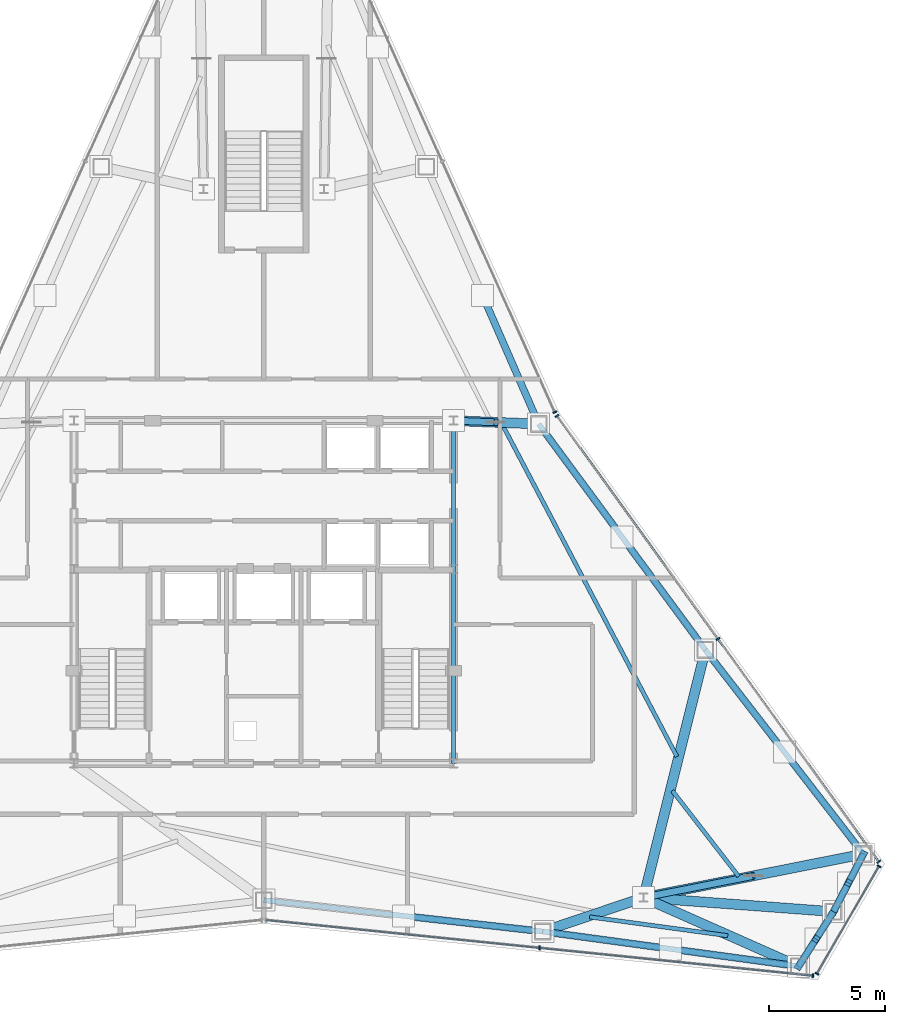
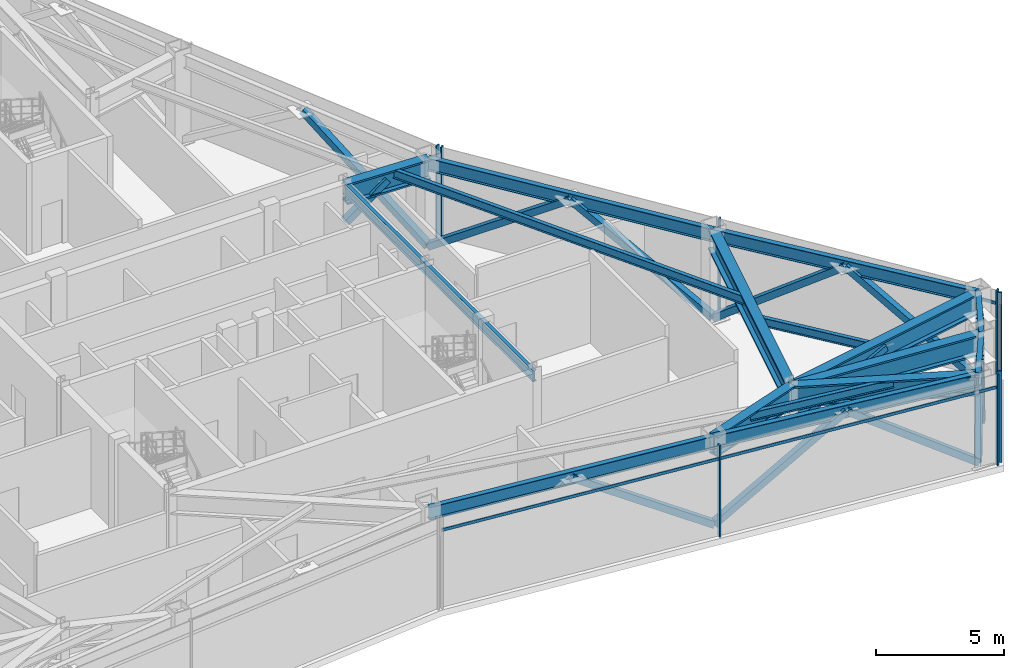
# One storey, part 6 of 12: 25 members, 16 beams, 4 elements without a shape of their own.
"""IFC4 building model written with IfcOpenShell, lengths in metres."""

import ifcopenshell
import ifcopenshell.guid

model = None  # the IFC model being written
_history = None  # IfcOwnerHistory: only IFC2X3 demands one
_inside = {}  # id of a spatial element -> (the spatial element, [elements in it])
_under = {}  # id of a project, library or spatial element -> (it, [spatial elements below it])
_declared = {}  # id of a project -> (the project, [libraries it declares])
_typed = {}  # id of a type object -> (the type object, [elements of that type])
_made_of = {}  # id of a material, layer set ... -> (it, [elements and type objects made of it])


def new_model(schema):
    """Start an empty IFC model of exactly this schema.

    Asked for "IFC4X3", IfcOpenShell would pick the latest addendum, in which some entities
    have other attributes; the version numbers below select the first issue.
    IFC2X3 requires an IfcOwnerHistory on every rooted entity: one is made here for all.
    """
    global model, _history
    if schema == "IFC4X3":
        model = ifcopenshell.file(schema_version=(4, 3, 0, 0))
    else:
        model = ifcopenshell.file(schema=schema)
    _inside.clear()
    _under.clear()
    _declared.clear()
    _typed.clear()
    _made_of.clear()
    _history = None
    if model.schema == "IFC2X3":
        org = make("IfcOrganization", Name="unknown")
        user = make(
            "IfcPersonAndOrganization",
            ThePerson=make("IfcPerson", FamilyName="unknown"),
            TheOrganization=org,
        )
        app = make(
            "IfcApplication",
            ApplicationDeveloper=org,
            Version="unknown",
            ApplicationFullName="unknown",
            ApplicationIdentifier="unknown",
        )
        _history = make(
            "IfcOwnerHistory",
            OwningUser=user,
            OwningApplication=app,
            ChangeAction="ADDED",
            CreationDate=0,
        )
    return model


def make(cls, **values):
    """One entity of the class cls with the attributes given. An attribute that is None is left unset."""
    return model.create_entity(
        cls, **{name: value for name, value in values.items() if value is not None}
    )


def rooted(cls, **values):
    """An entity with a GlobalId (a new one), such as an element, a storey or a relation."""
    return make(cls, GlobalId=ifcopenshell.guid.new(), OwnerHistory=_history, **values)


def si_unit(unit_type, name, prefix=None):
    """IfcSIUnit, for example si_unit("LENGTHUNIT", "METRE", prefix="MILLI")."""
    return make("IfcSIUnit", UnitType=unit_type, Prefix=prefix, Name=name)


def assignment(units):
    """IfcUnitAssignment: the units of a project."""
    return None if units is None else make("IfcUnitAssignment", Units=units)


def point(xyz):
    """IfcCartesianPoint."""
    return None if xyz is None else make("IfcCartesianPoint", Coordinates=xyz)


def direction(xyz):
    """IfcDirection."""
    return None if xyz is None else make("IfcDirection", DirectionRatios=xyz)


def frame(location, z_axis=None, x_axis=None):
    """IfcAxis2Placement3D, a coordinate frame: its origin and axes. An axis left out is left unset."""
    return make(
        "IfcAxis2Placement3D",
        Location=point(location),
        Axis=direction(z_axis),
        RefDirection=direction(x_axis),
    )


def frame_2d(location, x_axis=None):
    """IfcAxis2Placement2D, a coordinate frame in the plane: its origin and x axis."""
    return make(
        "IfcAxis2Placement2D", Location=point(location), RefDirection=direction(x_axis)
    )


def origin():
    """The frame at (0, 0, 0) with its axes left unset."""
    return frame((0.0, 0.0, 0.0))


def origin_2d():
    """The frame at (0, 0) in the plane with its x axis left unset."""
    return frame_2d((0.0, 0.0))


def place(relative_to, where):
    """IfcLocalPlacement: puts the frame where relative to a parent placement (None: the world)."""
    return make(
        "IfcLocalPlacement", PlacementRelTo=relative_to, RelativePlacement=where
    )


def context(
    kind, dimensions, precision=None, world=None, true_north=None, identifier=None
):
    """IfcGeometricRepresentationContext, for example the 3D "Model" context."""
    return make(
        "IfcGeometricRepresentationContext",
        ContextIdentifier=identifier,
        ContextType=kind,
        CoordinateSpaceDimension=dimensions,
        Precision=precision,
        WorldCoordinateSystem=world,
        TrueNorth=true_north,
    )


def subcontext(parent, identifier, kind, view, scale=None):
    """IfcGeometricRepresentationSubContext, for example "Body" below "Model"."""
    return make(
        "IfcGeometricRepresentationSubContext",
        ContextIdentifier=identifier,
        ContextType=kind,
        ParentContext=parent,
        TargetScale=scale,
        TargetView=view,
    )


def project(units=None, contexts=None):
    """IfcProject with its units and contexts."""
    return rooted(
        "IfcProject",
        Name="project",
        RepresentationContexts=contexts,
        UnitsInContext=assignment(units),
    )


def spatial(cls, under=None, at=None, **own):
    """A site, building, storey or space (cls), placed at a placement, below another one or the project."""
    s = rooted(cls, ObjectPlacement=at, **own)
    if under is not None:
        _under.setdefault(under.id(), (under, []))[1].append(s)
    return s


def profile(cls, at=None, kind="AREA", **sizes):
    """A parametric profile (cls). Its sizes go by their IFC names, for example OverallWidth=200.0."""
    return make(cls, ProfileType=kind, Position=at, **sizes)


def rectangle(**sizes):
    """IfcRectangleProfileDef."""
    return profile("IfcRectangleProfileDef", **sizes)


def hollow_rectangle(**sizes):
    """IfcRectangleHollowProfileDef."""
    return profile("IfcRectangleHollowProfileDef", **sizes)


def i_section(**sizes):
    """IfcIShapeProfileDef."""
    return profile("IfcIShapeProfileDef", **sizes)


def extrude(swept, where, along, depth):
    """IfcExtrudedAreaSolid: the profile swept, set in the frame where, extruded along a direction by depth."""
    return make(
        "IfcExtrudedAreaSolid",
        SweptArea=swept,
        Position=where,
        ExtrudedDirection=direction(along),
        Depth=depth,
    )


def shape(context_of_items, identifier, shape_type, items):
    """IfcShapeRepresentation: the items that make up one representation, for example the "Body"."""
    return make(
        "IfcShapeRepresentation",
        ContextOfItems=context_of_items,
        RepresentationIdentifier=identifier,
        RepresentationType=shape_type,
        Items=items,
    )


def source(mapping_origin, context_of_items, identifier, shape_type, items):
    """IfcRepresentationMap: a shape defined once, which mapped items show again and again."""
    return make(
        "IfcRepresentationMap",
        MappingOrigin=mapping_origin,
        MappedRepresentation=shape(context_of_items, identifier, shape_type, items),
    )


def transform(
    local_origin,
    x_axis=None,
    y_axis=None,
    z_axis=None,
    scale=None,
    scale2=None,
    scale3=None,
    uniform=True,
):
    """IfcCartesianTransformationOperator3D, or its non-uniform kind. x_axis, y_axis, z_axis: its Axis1, 2, 3."""
    if uniform:
        return make(
            "IfcCartesianTransformationOperator3D",
            Axis1=direction(x_axis),
            Axis2=direction(y_axis),
            LocalOrigin=point(local_origin),
            Scale=scale,
            Axis3=direction(z_axis),
        )
    return make(
        "IfcCartesianTransformationOperator3DnonUniform",
        Axis1=direction(x_axis),
        Axis2=direction(y_axis),
        LocalOrigin=point(local_origin),
        Scale=scale,
        Axis3=direction(z_axis),
        Scale2=scale2,
        Scale3=scale3,
    )


def mapped(mapping_source, mapping_target):
    """IfcMappedItem: shows the shape of a source again, moved by a transform."""
    return make(
        "IfcMappedItem", MappingSource=mapping_source, MappingTarget=mapping_target
    )


def material(Name=None, Category=None):
    """IfcMaterial."""
    return make("IfcMaterial", Name=Name, Category=Category)


def layer(
    of_material, thickness, ventilated=None, Name=None, Category=None, Priority=None
):
    """IfcMaterialLayer: one layer of a wall or slab, of a material (None: an air gap)."""
    return make(
        "IfcMaterialLayer",
        Material=of_material,
        LayerThickness=thickness,
        IsVentilated=ventilated,
        Name=Name,
        Category=Category,
        Priority=Priority,
    )


def layer_set(layers, Name=None):
    """IfcMaterialLayerSet."""
    return make("IfcMaterialLayerSet", MaterialLayers=layers, LayerSetName=Name)


def material_profile(
    of_material, cross_section, Name=None, Category=None, Priority=None
):
    """IfcMaterialProfile: a cross section and its material."""
    return make(
        "IfcMaterialProfile",
        Name=Name,
        Material=of_material,
        Profile=cross_section,
        Priority=Priority,
        Category=Category,
    )


def profile_set(profiles, Name=None, composite=None):
    """IfcMaterialProfileSet."""
    return make(
        "IfcMaterialProfileSet",
        Name=Name,
        MaterialProfiles=profiles,
        CompositeProfile=composite,
    )


def made_of(thing, what):
    """Note that an element or type object is made of a material, layer set ...; save() writes the relation."""
    if what is not None:
        _made_of.setdefault(what.id(), (what, []))[1].append(thing)
    return thing


def type_object(cls, material=None, **own):
    """A type object (cls), such as IfcWallType, which elements share."""
    return made_of(rooted(cls, **own), material)


def type_shapes(of_type, sources):
    """Give a type object the sources (RepresentationMaps) that its elements show as mapped items."""
    of_type.RepresentationMaps = sources


def element(
    cls,
    number,
    at=None,
    inside=None,
    cuts=None,
    type_object=None,
    material=None,
    context=None,
    identifier="Body",
    shape_type=None,
    held_by="IfcProductDefinitionShape",
    body=None,
    shapes=None,
    **own,
):
    """One element of the class cls, such as IfcWall. Its Tag is "e" and its number.

    at: its placement. inside: the storey or other place that contains it. cuts: it is an
    opening in that element (IfcRelVoidsElement). A single representation is given by context,
    identifier, shape_type and body (its items); several are given by shapes. held_by: the class
    of the entity that holds the representations. save() writes the other relations.
    """
    e = rooted(cls, Tag="e%d" % number, ObjectPlacement=at, **own)
    if body is not None:
        shapes = [shape(context, identifier, shape_type, body)]
    if shapes is not None:
        e.Representation = make(held_by, Representations=shapes)
    if inside is not None:
        _inside.setdefault(inside.id(), (inside, []))[1].append(e)
    if cuts is not None:
        rooted(
            "IfcRelVoidsElement", RelatingBuildingElement=cuts, RelatedOpeningElement=e
        )
    if type_object is not None:
        _typed.setdefault(type_object.id(), (type_object, []))[1].append(e)
    return made_of(e, material)


def aggregate(whole, parts):
    """IfcRelAggregates: a whole, such as a stair, and the parts it consists of."""
    return rooted("IfcRelAggregates", RelatingObject=whole, RelatedObjects=parts)


def save(model, path):
    """Write the relations noted so far, then the file.

    IfcRelAggregates (storeys below a building ...), IfcRelContainedInSpatialStructure (elements
    in a storey), IfcRelDefinesByType, IfcRelAssociatesMaterial and IfcRelDeclares: one each for
    every whole, place, type object, material and project.
    """
    for whole, parts in _under.values():
        aggregate(whole, parts)
    for where, things in _inside.values():
        rooted(
            "IfcRelContainedInSpatialStructure",
            RelatedElements=things,
            RelatingStructure=where,
        )
    for kind, things in _typed.values():
        rooted("IfcRelDefinesByType", RelatedObjects=things, RelatingType=kind)
    for what, things in _made_of.values():
        rooted("IfcRelAssociatesMaterial", RelatedObjects=things, RelatingMaterial=what)
    for by, libraries in _declared.values():
        rooted("IfcRelDeclares", RelatingContext=by, RelatedDefinitions=libraries)
    model.write(path)


model = new_model("IFC4")

# Units and contexts
model_context = context("Model", 3, precision=1e-05, world=origin(), true_north=direction((0.0, 1.0)))
body_context = subcontext(model_context, "Body", "Model", "MODEL_VIEW")
ifc_project = project(units=[si_unit("LENGTHUNIT", "METRE"), si_unit("AREAUNIT", "SQUARE_METRE"), si_unit("VOLUMEUNIT", "CUBIC_METRE"), si_unit("PLANEANGLEUNIT", "RADIAN"), si_unit("MASSUNIT", "GRAM", prefix="KILO")], contexts=[model_context])

# Site, building, storey
site_placement = place(None, origin())
site = spatial("IfcSite", under=ifc_project, at=site_placement, CompositionType="ELEMENT")
building_placement = place(site_placement, origin())
building = spatial("IfcBuilding", under=site, at=building_placement, Name="Varakhsha Concourse Tower", CompositionType="ELEMENT")
storey_placement = place(building_placement, frame((0.0, 0.0, 250.39990234375)))
storey = spatial("IfcBuildingStorey", under=building, at=storey_placement, Name="L71", CompositionType="ELEMENT", Elevation=250.39990234375)

# Beams
ifc_material_1 = material(Name="Structural Steel ASTM A992 Grade 50", Category="steel")
ifc_material_profile_1 = material_profile(ifc_material_1, i_section(OverallWidth=0.177978515625, OverallDepth=0.406982421875, WebThickness=0.008056640625, FlangeThickness=0.012939453125, at=origin_2d()), Name="W16X40")
ifc_profile_set_1 = profile_set([ifc_material_profile_1], Name="Structural Steel ASTM A992 Grade 50")
beam_type_1 = type_object("IfcBeamType", Name="BM-JST-W16X40", PredefinedType="JOIST", material=ifc_profile_set_1)
beam_1_placement = place(storey_placement, frame((54.072998046875, 9.76416015625, 4.146484375), z_axis=(0.990864658208, -0.134860035274, 0.0), x_axis=(0.134860035274, 0.990864658208, 0.0)))
element("IfcBeam", 1, at=beam_1_placement, inside=storey, type_object=beam_type_1, Name="BM-TJST-L71-12", PredefinedType="JOIST", context=body_context, shape_type="SweptSolid", body=[
    extrude(i_section(OverallWidth=0.177978515625, OverallDepth=0.406982421875, WebThickness=0.008056640625, FlangeThickness=0.012939453125, at=origin_2d()), origin(), (0.0, 0.0, 1.0), 6.024658203125),
])
beam_2_placement = place(storey_placement, frame((60.5126953125, 11.51416015625, 4.146484375), z_axis=(-0.612247787834, 0.79066595114, 0.0), x_axis=(-0.79066595114, -0.612247787834, 0.0)))
element("IfcBeam", 2, at=beam_2_placement, inside=storey, type_object=beam_type_1, Name="BM-TJST-L71-15", PredefinedType="JOIST", context=body_context, shape_type="SweptSolid", body=[
    extrude(i_section(OverallWidth=0.177978515625, OverallDepth=0.406982421875, WebThickness=0.008056640625, FlangeThickness=0.012939453125, at=origin_2d()), origin(), (0.0, 0.0, 1.0), 4.6865234375),
])
beam_3_placement = place(storey_placement, frame((57.845703125, 16.687744140625, 4.146484375), z_axis=(-0.465391617433, 0.88510487651, 0.0), x_axis=(-0.88510487651, -0.465391617433, 0.0)))
element("IfcBeam", 3, at=beam_3_placement, inside=storey, type_object=beam_type_1, Name="BM-TJST-L71-16", PredefinedType="JOIST", context=body_context, shape_type="SweptSolid", body=[
    extrude(i_section(OverallWidth=0.177978515625, OverallDepth=0.406982421875, WebThickness=0.008056640625, FlangeThickness=0.012939453125, at=origin_2d()), origin(), (0.0, 0.0, 1.0), 16.194580078125),
])
ifc_material_profile_2 = material_profile(ifc_material_1, i_section(OverallWidth=0.1669921875, OverallDepth=0.534912109375, WebThickness=0.010009765625, FlangeThickness=0.01708984375, at=origin_2d()), Name="W21X57")
ifc_profile_set_2 = profile_set([ifc_material_profile_2], Name="Structural Steel ASTM A992 Grade 50")
beam_type_2 = type_object("IfcBeamType", Name="BM-RAD-W21X57", PredefinedType="BEAM", material=ifc_profile_set_2)
beam_4_placement = place(storey_placement, frame((48.199951171875, 16.39990234375, 4.08251953125), z_axis=(0.0, 1.0, 0.0), x_axis=(-1.0, 0.0, 0.0)))
element("IfcBeam", 4, at=beam_4_placement, inside=storey, type_object=beam_type_2, Name="BM-TCORE-L71-CE", PredefinedType="BEAM", context=body_context, shape_type="SweptSolid", body=[
    extrude(i_section(OverallWidth=0.1669921875, OverallDepth=0.534912109375, WebThickness=0.010009765625, FlangeThickness=0.01708984375, at=origin_2d()), origin(), (0.0, 0.0, 1.0), 14.800048828125),
])
ifc_material_profile_3 = material_profile(ifc_material_1, i_section(OverallWidth=0.22900390625, OverallDepth=0.612060546875, WebThickness=0.011962890625, FlangeThickness=0.02001953125, at=origin_2d()), Name="W24X84")
ifc_profile_set_3 = profile_set([ifc_material_profile_3], Name="Structural Steel ASTM A992 Grade 50")
beam_type_3 = type_object("IfcBeamType", Name="BM-SPAN-W24X84", PredefinedType="SPANDREL", material=ifc_profile_set_3)
beam_5_placement = place(storey_placement, frame((40.0, 10.48876953125, 4.044189453125), z_axis=(0.993737521425, -0.11173960136, 0.0), x_axis=(0.11173960136, 0.993737521425, 0.0)))
element("IfcBeam", 5, at=beam_5_placement, inside=storey, type_object=beam_type_3, Name="BM-SPAN-L71-11", PredefinedType="SPANDREL", context=body_context, shape_type="SweptSolid", body=[
    extrude(i_section(OverallWidth=0.22900390625, OverallDepth=0.612060546875, WebThickness=0.011962890625, FlangeThickness=0.02001953125, at=origin_2d()), origin(), (0.0, 0.0, 1.0), 12.126220703125),
])
beam_6_placement = place(storey_placement, frame((52.05029296875, 9.1337890625, 4.044189453125), z_axis=(0.990863976686, -0.134865042565, 0.0), x_axis=(0.134865042565, 0.990863976686, 0.0)))
element("IfcBeam", 6, at=beam_6_placement, inside=storey, type_object=beam_type_3, Name="BM-SPAN-L71-12", PredefinedType="SPANDREL", context=body_context, shape_type="SweptSolid", body=[
    extrude(i_section(OverallWidth=0.22900390625, OverallDepth=0.612060546875, WebThickness=0.011962890625, FlangeThickness=0.02001953125, at=origin_2d()), origin(), (0.0, 0.0, 1.0), 11.151123046875),
])
beam_7_placement = place(storey_placement, frame((63.099609375, 7.6298828125, 4.044189453125), z_axis=(0.538762033455, 0.842457993794, 0.0), x_axis=(-0.842457993794, 0.538762033455, 0.0)))
element("IfcBeam", 7, at=beam_7_placement, inside=storey, type_object=beam_type_3, Name="BM-SPAN-L71-13", PredefinedType="SPANDREL", context=body_context, shape_type="SweptSolid", body=[
    extrude(i_section(OverallWidth=0.22900390625, OverallDepth=0.612060546875, WebThickness=0.011962890625, FlangeThickness=0.02001953125, at=origin_2d()), origin(), (0.0, 0.0, 1.0), 2.80322265625),
])
beam_8_placement = place(storey_placement, frame((64.60986328125, 9.991455078125, 4.044189453125), z_axis=(0.460230722474, 0.887799347877, 0.0), x_axis=(-0.887799347877, 0.460230722474, 0.0)))
element("IfcBeam", 8, at=beam_8_placement, inside=storey, type_object=beam_type_3, Name="BM-SPAN-L71-14", PredefinedType="SPANDREL", context=body_context, shape_type="SweptSolid", body=[
    extrude(i_section(OverallWidth=0.22900390625, OverallDepth=0.612060546875, WebThickness=0.011962890625, FlangeThickness=0.02001953125, at=origin_2d()), origin(), (0.0, 0.0, 1.0), 2.802978515625),
])
beam_9_placement = place(storey_placement, frame((65.89990234375, 12.47998046875, 4.044189453125), z_axis=(-0.612217348488, 0.790689520741, 0.0), x_axis=(-0.790689520741, -0.612217348488, 0.0)))
element("IfcBeam", 9, at=beam_9_placement, inside=storey, type_object=beam_type_3, Name="BM-SPAN-L71-15", PredefinedType="SPANDREL", context=body_context, shape_type="SweptSolid", body=[
    extrude(i_section(OverallWidth=0.22900390625, OverallDepth=0.612060546875, WebThickness=0.011962890625, FlangeThickness=0.02001953125, at=origin_2d()), origin(), (0.0, 0.0, 1.0), 11.151611328125),
])
beam_10_placement = place(storey_placement, frame((59.07275390625, 21.29736328125, 4.044189453125), z_axis=(-0.593635055484, 0.804734379097, 0.0), x_axis=(-0.804734379097, -0.593635055484, 0.0)))
element("IfcBeam", 10, at=beam_10_placement, inside=storey, type_object=beam_type_3, Name="BM-SPAN-L71-16", PredefinedType="SPANDREL", context=body_context, shape_type="SweptSolid", body=[
    extrude(i_section(OverallWidth=0.22900390625, OverallDepth=0.612060546875, WebThickness=0.011962890625, FlangeThickness=0.02001953125, at=origin_2d()), origin(), (0.0, 0.0, 1.0), 12.126220703125),
])
ifc_material_profile_4 = material_profile(ifc_material_1, i_section(OverallWidth=0.427978515625, OverallDepth=0.97509765625, WebThickness=0.050048828125, FlangeThickness=0.0810546875, at=origin_2d()), Name="W36X395")
ifc_profile_set_4 = profile_set([ifc_material_profile_4], Name="Structural Steel ASTM A992 Grade 50")
beam_type_4 = type_object("IfcBeamType", Name="BM-XFER-W36X395", PredefinedType="USERDEFINED", material=ifc_profile_set_4)
beam_11_placement = place(storey_placement, frame((56.39990234375, 10.60009765625, 3.862548828125), z_axis=(-0.947603418082, -0.319449154075, 0.0), x_axis=(0.319449154075, -0.947603418082, 0.0)))
element("IfcBeam", 11, at=beam_11_placement, inside=storey, type_object=beam_type_4, Name="L71 Outrigger Top Chord 12", ObjectType="GIRDER", PredefinedType="USERDEFINED", context=body_context, shape_type="SweptSolid", body=[
    extrude(i_section(OverallWidth=0.427978515625, OverallDepth=0.97509765625, WebThickness=0.050048828125, FlangeThickness=0.0810546875, at=origin_2d()), origin(), (0.0, 0.0, 1.0), 4.590087890625),
])
beam_12_placement = place(storey_placement, frame((56.39990234375, 10.60009765625, 3.862548828125), z_axis=(0.914187563748, -0.405291374556, 0.0), x_axis=(0.405291374556, 0.914187563748, 0.0)))
element("IfcBeam", 12, at=beam_12_placement, inside=storey, type_object=beam_type_4, Name="L71 Outrigger Top Chord 13", ObjectType="GIRDER", PredefinedType="USERDEFINED", context=body_context, shape_type="SweptSolid", body=[
    extrude(i_section(OverallWidth=0.427978515625, OverallDepth=0.97509765625, WebThickness=0.050048828125, FlangeThickness=0.0810546875, at=origin_2d()), origin(), (0.0, 0.0, 1.0), 7.32861328125),
])
beam_13_placement = place(storey_placement, frame((56.39990234375, 10.60009765625, 3.862548828125), z_axis=(0.997263302263, -0.073931765569, 0.0), x_axis=(0.073931765569, 0.997263302263, 0.0)))
element("IfcBeam", 13, at=beam_13_placement, inside=storey, type_object=beam_type_4, Name="L71 Outrigger Top Chord 14", ObjectType="GIRDER", PredefinedType="USERDEFINED", context=body_context, shape_type="SweptSolid", body=[
    extrude(i_section(OverallWidth=0.427978515625, OverallDepth=0.97509765625, WebThickness=0.050048828125, FlangeThickness=0.0810546875, at=origin_2d()), origin(), (0.0, 0.0, 1.0), 8.232421875),
])
beam_14_placement = place(storey_placement, frame((56.39990234375, 10.60009765625, 3.862548828125), z_axis=(0.980978125566, 0.194118307125, 0.0), x_axis=(-0.194118307125, 0.980978125566, 0.0)))
element("IfcBeam", 14, at=beam_14_placement, inside=storey, type_object=beam_type_4, Name="L71 Outrigger Top Chord 15", ObjectType="GIRDER", PredefinedType="USERDEFINED", context=body_context, shape_type="SweptSolid", body=[
    extrude(i_section(OverallWidth=0.427978515625, OverallDepth=0.97509765625, WebThickness=0.050048828125, FlangeThickness=0.0810546875, at=origin_2d()), origin(), (0.0, 0.0, 1.0), 9.684326171875),
])
beam_15_placement = place(storey_placement, frame((56.39990234375, 10.60009765625, 3.862548828125), z_axis=(0.242410585861, 0.970173751378, 0.0), x_axis=(-0.970173751378, 0.242410585861, 0.0)))
element("IfcBeam", 15, at=beam_15_placement, inside=storey, type_object=beam_type_4, Name="L71 Outrigger Top Chord 16", ObjectType="GIRDER", PredefinedType="USERDEFINED", context=body_context, shape_type="SweptSolid", body=[
    extrude(i_section(OverallWidth=0.427978515625, OverallDepth=0.97509765625, WebThickness=0.050048828125, FlangeThickness=0.0810546875, at=origin_2d()), origin(), (0.0, 0.0, 1.0), 11.026123046875),
])
beam_16_placement = place(storey_placement, frame((48.199951171875, 31.199951171875, 3.862548828125), z_axis=(0.999229859365, -0.039238860258, 0.0), x_axis=(0.039238860258, 0.999229859365, 0.0)))
element("IfcBeam", 16, at=beam_16_placement, inside=storey, type_object=beam_type_4, Name="L71 Outrigger Top Chord 17", ObjectType="GIRDER", PredefinedType="USERDEFINED", context=body_context, shape_type="SweptSolid", body=[
    extrude(i_section(OverallWidth=0.427978515625, OverallDepth=0.97509765625, WebThickness=0.050048828125, FlangeThickness=0.0810546875, at=origin_2d()), origin(), (0.0, 0.0, 1.0), 3.67724609375),
])

# Members
ifc_material_2 = material(Name="Structural Steel ASTM A500 Grade C", Category="steel")
ifc_material_profile_5 = material_profile(ifc_material_2, hollow_rectangle(XDim=0.300048828125, YDim=0.300048828125, WallThickness=0.013916015625, at=origin_2d()), Name="HSS 300x300x14")
ifc_profile_set_5 = profile_set([ifc_material_profile_5], Name="Structural Steel ASTM A500 Grade C")
member_type_1 = type_object("IfcMemberType", Name="MB-BELT-HSS300", PredefinedType="BRACE", material=ifc_profile_set_5)
shared_shape_1 = source(origin(), body_context, "Body", "SweptSolid", [
    extrude(hollow_rectangle(XDim=0.300048828125, YDim=0.300048828125, WallThickness=0.013916015625, at=origin_2d()), origin(), (0.0, 0.0, 1.0), 4.17236328125),
])
for number, where, z_axis, x_axis, name in (
    (17, (63.099609375, 7.6298828125, 0.1201171875), (0.180980389148, 0.283026880798, 0.941882096384), (-0.842483271243, 0.538722505262, 0.0), "L71 Belt Truss Chevron 13A"),
    (18, (64.60986328125, 9.991455078125, 0.1201171875), (-0.180983386079, -0.282973053694, 0.941897693407), (0.842432710781, -0.538801566262, 0.0), "L71 Belt Truss Chevron 13B"),
    (19, (64.60986328125, 9.991455078125, 0.1201171875), (0.154592037413, 0.298242094888, 0.941887973596), (-0.887817794363, 0.460195136886, 0.0), "L71 Belt Truss Chevron 14A"),
    (20, (65.89990234375, 12.47998046875, 0.1201171875), (-0.154594735023, -0.298188784889, 0.941904409412), (0.887780897112, -0.460266312827, 0.0), "L71 Belt Truss Chevron 14B"),
):
    element("IfcMember", number, at=place(storey_placement, frame(where, z_axis=z_axis, x_axis=x_axis)), inside=storey, type_object=member_type_1, Name=name, PredefinedType="BRACE", context=body_context, shape_type="MappedRepresentation", body=[
        mapped(shared_shape_1, transform((0.0, 0.0, 0.0), scale=1.0)),
    ])
shared_shape_2 = source(origin(), body_context, "Body", "SweptSolid", [
    extrude(hollow_rectangle(XDim=0.300048828125, YDim=0.300048828125, WallThickness=0.013916015625, at=origin_2d()), origin(), (0.0, 0.0, 1.0), 6.821533203125),
])
for number, where, z_axis, x_axis, name in (
    (21, (65.89990234375, 12.47998046875, 0.1201171875), (-0.500411063637, 0.646289728734, 0.576106200212), (-0.790689520741, -0.612217348488, 0.0), "L71 Belt Truss Chevron 15A"),
    (22, (59.07275390625, 21.29736328125, 0.1201171875), (0.500411063637, -0.646289728734, 0.576106200212), (0.790689520741, 0.612217348488, 0.0), "L71 Belt Truss Chevron 15B"),
):
    element("IfcMember", number, at=place(storey_placement, frame(where, z_axis=z_axis, x_axis=x_axis)), inside=storey, type_object=member_type_1, Name=name, PredefinedType="BRACE", context=body_context, shape_type="MappedRepresentation", body=[
        mapped(shared_shape_2, transform((0.0, 0.0, 0.0), scale=1.0)),
    ])
shared_shape_3 = source(origin(), body_context, "Body", "SweptSolid", [
    extrude(hollow_rectangle(XDim=0.300048828125, YDim=0.300048828125, WallThickness=0.013916015625, at=origin_2d()), origin(), (0.0, 0.0, 1.0), 7.225341796875),
])
for number, where, z_axis, x_axis, name in (
    (23, (52.05029296875, 9.1337890625, 0.1201171875), (-0.833889408027, 0.093765675565, 0.543908497144), (-0.11173960136, -0.993737521425, 0.0), "L71 Belt Truss Chevron 11B"),
    (24, (59.07275390625, 21.29736328125, 0.1201171875), (-0.498131458852, 0.675292172376, 0.543916842569), (-0.804743997233, -0.593622016873, 0.0), "L71 Belt Truss Chevron 16A"),
    (25, (51.874267578125, 31.0556640625, 0.1201171875), (0.498156863694, -0.675280805869, 0.543907687369), (0.80472476098, 0.593648093626, 0.0), "L71 Belt Truss Chevron 16B"),
    (26, (51.874267578125, 31.0556640625, 0.1201171875), (-0.335734096828, 0.76905274193, 0.543912213833), (-0.916474957314, -0.400092055179, 0.0), "L71 Belt Truss Chevron 17A"),
):
    element("IfcMember", number, at=place(storey_placement, frame(where, z_axis=z_axis, x_axis=x_axis)), inside=storey, type_object=member_type_1, Name=name, PredefinedType="BRACE", context=body_context, shape_type="MappedRepresentation", body=[
        mapped(shared_shape_3, transform((0.0, 0.0, 0.0), scale=1.0)),
    ])
shared_shape_4 = source(origin(), body_context, "Body", "SweptSolid", [
    extrude(hollow_rectangle(XDim=0.300048828125, YDim=0.300048828125, WallThickness=0.013916015625, at=origin_2d()), origin(), (0.0, 0.0, 1.0), 6.8212890625),
])
type_shapes(member_type_1, [shared_shape_1, shared_shape_2, shared_shape_3, shared_shape_4])
for number, where, z_axis, x_axis, name in (
    (27, (52.05029296875, 9.1337890625, 0.1201171875), (0.80989965491, -0.110234254148, 0.576117139294), (0.134865042565, 0.990863976686, 0.0), "L71 Belt Truss Chevron 12A"),
    (28, (63.099609375, 7.6298828125, 0.1201171875), (-0.80989965491, 0.110234254148, 0.576117139294), (-0.134865042565, -0.990863976686, 0.0), "L71 Belt Truss Chevron 12B"),
):
    element("IfcMember", number, at=place(storey_placement, frame(where, z_axis=z_axis, x_axis=x_axis)), inside=storey, type_object=member_type_1, Name=name, PredefinedType="BRACE", context=body_context, shape_type="MappedRepresentation", body=[
        mapped(shared_shape_4, transform((0.0, 0.0, 0.0), scale=1.0)),
    ])
ifc_material_profile_6 = material_profile(ifc_material_2, hollow_rectangle(XDim=0.300048828125, YDim=0.300048828125, WallThickness=0.013916015625, at=origin_2d()), Name="HSS 300x300x14")
ifc_profile_set_6 = profile_set([ifc_material_profile_6], Name="Structural Steel ASTM A500 Grade C")
member_type_2 = type_object("IfcMemberType", Name="MB-OUTR-HSS300", PredefinedType="STRUT", material=ifc_profile_set_6)
shared_shape_5 = source(origin(), body_context, "Body", "SweptSolid", [
    extrude(hollow_rectangle(XDim=0.300048828125, YDim=0.300048828125, WallThickness=0.013916015625, at=origin_2d()), origin(), (0.0, 0.0, 1.0), 2.341552734375),
])
member_1_placement = place(storey_placement, frame((48.199951171875, 31.199951171875, 2.4501953125), z_axis=(0.784599609472, -0.030862655735, 0.619234163542), x_axis=(0.039305151783, 0.999227253953, 0.0)))
element("IfcMember", 29, at=member_1_placement, inside=storey, type_object=member_type_2, Name="L71 Outrigger Truss Strut 09", PredefinedType="STRUT", context=body_context, shape_type="MappedRepresentation", body=[
    mapped(shared_shape_5, transform((0.0, 0.0, 0.0), scale=1.0)),
])
shared_shape_6 = source(origin(), body_context, "Body", "SweptSolid", [
    extrude(hollow_rectangle(XDim=0.300048828125, YDim=0.300048828125, WallThickness=0.013916015625, at=origin_2d()), origin(), (0.0, 0.0, 1.0), 5.054443359375),
])
type_shapes(member_type_2, [shared_shape_5, shared_shape_6])
member_2_placement = place(storey_placement, frame((56.39990234375, 10.60009765625, 2.4501953125), z_axis=(0.939749700425, 0.185959927356, 0.286861300926), x_axis=(-0.194118307125, 0.980978125566, 0.0)))
element("IfcMember", 30, at=member_2_placement, inside=storey, type_object=member_type_2, Name="L71 Outrigger Truss Strut 08", PredefinedType="STRUT", context=body_context, shape_type="MappedRepresentation", body=[
    mapped(shared_shape_6, transform((0.0, 0.0, 0.0), scale=1.0)),
])

# Curtain wall, members
ifc_material_3 = material(Name="Anodised Bronze Architectural Aluminium AA 6063-T6", Category="aluminium")
ifc_layer = layer(ifc_material_3, 0.260009765625, Name="CW-SYS-06")
ifc_layer_set = layer_set([ifc_layer], Name="Anodised Bronze Architectural Aluminium AA 6063-T6")
curtain_wall_type = type_object("IfcCurtainWallType", Name="CW-SYS-06", PredefinedType="NOTDEFINED", material=ifc_layer_set)
curtain_wall_1_placement = place(storey_placement, origin())
curtain_wall_1 = element("IfcCurtainWall", 31, at=curtain_wall_1_placement, inside=storey, type_object=curtain_wall_type, Name="L71 Crystal Curtain Wall F6", PredefinedType="NOTDEFINED")
ifc_material_profile_7 = material_profile(ifc_material_3, rectangle(XDim=0.06494140625, YDim=0.179931640625, at=origin_2d()), Name="CWM-180X65")
ifc_profile_set_7 = profile_set([ifc_material_profile_7], Name="Anodised Bronze Architectural Aluminium AA 6063-T6")
member_type_3 = type_object("IfcMemberType", Name="CWM-180X65", PredefinedType="MULLION", material=ifc_profile_set_7)
shared_shape_7 = source(origin(), body_context, "Body", "SweptSolid", [
    extrude(rectangle(XDim=0.06494140625, YDim=0.179931640625, at=origin_2d()), origin(), (0.0, 0.0, 1.0), 4.35009765625),
])
type_shapes(member_type_3, [shared_shape_7])
member_3_placement = place(storey_placement, frame((63.71923828125, 7.221435546875, 0.0), z_axis=(0.0, 0.0, 1.0), x_axis=(-0.994852272933, 0.101335852689, 0.0)))
member_3 = element("IfcMember", 32, at=member_3_placement, type_object=member_type_3, Name="CW-L71-F6 Mullion 00", PredefinedType="MULLION", context=body_context, shape_type="MappedRepresentation", body=[
    mapped(shared_shape_7, transform((0.0, 0.0, 0.0), scale=1.0)),
])
member_4_placement = place(storey_placement, frame((51.90771484375, 8.424560546875, 0.0), z_axis=(0.0, 0.0, 1.0), x_axis=(-0.994852272933, 0.101335852689, 0.0)))
member_4 = element("IfcMember", 33, at=member_4_placement, type_object=member_type_3, Name="CW-L71-F6 Mullion 01", PredefinedType="MULLION", context=body_context, shape_type="MappedRepresentation", body=[
    mapped(shared_shape_7, transform((0.0, 0.0, 0.0), scale=1.0)),
])

curtain_wall_2_placement = place(storey_placement, origin())
curtain_wall_2 = element("IfcCurtainWall", 34, at=curtain_wall_2_placement, inside=storey, type_object=curtain_wall_type, Name="L71 Chamfer Curtain Wall F7", PredefinedType="NOTDEFINED")
member_5_placement = place(storey_placement, frame((66.573486328125, 11.952392578125, 0.0), z_axis=(0.0, 0.0, 1.0), x_axis=(-0.5, -0.866025403784, 0.0)))
member_5 = element("IfcMember", 35, at=member_5_placement, type_object=member_type_3, Name="CW-L71-F7 Mullion 00", PredefinedType="MULLION", context=body_context, shape_type="MappedRepresentation", body=[
    mapped(shared_shape_7, transform((0.0, 0.0, 0.0), scale=1.0)),
])
member_6_placement = place(storey_placement, frame((63.893310546875, 7.310546875, 0.0), z_axis=(0.0, 0.0, 1.0), x_axis=(-0.5, -0.866025403784, 0.0)))
member_6 = element("IfcMember", 36, at=member_6_placement, type_object=member_type_3, Name="CW-L71-F7 Mullion 01", PredefinedType="MULLION", context=body_context, shape_type="MappedRepresentation", body=[
    mapped(shared_shape_7, transform((0.0, 0.0, 0.0), scale=1.0)),
])

curtain_wall_3_placement = place(storey_placement, origin())
curtain_wall_3 = element("IfcCurtainWall", 37, at=curtain_wall_3_placement, inside=storey, type_object=curtain_wall_type, Name="L71 Crystal Curtain Wall F8", PredefinedType="NOTDEFINED")
member_7_placement = place(storey_placement, frame((52.667724609375, 31.403076171875, 0.0), z_axis=(0.0, 0.0, 1.0), x_axis=(0.585186974494, -0.810898393686, 0.0)))
member_7 = element("IfcMember", 38, at=member_7_placement, type_object=member_type_3, Name="CW-L71-F8 Mullion 00", PredefinedType="MULLION", context=body_context, shape_type="MappedRepresentation", body=[
    mapped(shared_shape_7, transform((0.0, 0.0, 0.0), scale=1.0)),
])
member_8_placement = place(storey_placement, frame((59.61572265625, 21.775390625, 0.0), z_axis=(0.0, 0.0, 1.0), x_axis=(0.585186974494, -0.810898393686, 0.0)))
member_8 = element("IfcMember", 39, at=member_8_placement, type_object=member_type_3, Name="CW-L71-F8 Mullion 01", PredefinedType="MULLION", context=body_context, shape_type="MappedRepresentation", body=[
    mapped(shared_shape_7, transform((0.0, 0.0, 0.0), scale=1.0)),
])
member_9_placement = place(storey_placement, frame((66.5634765625, 12.147705078125, 0.0), z_axis=(0.0, 0.0, 1.0), x_axis=(0.585186974494, -0.810898393686, 0.0)))
member_9 = element("IfcMember", 40, at=member_9_placement, type_object=member_type_3, Name="CW-L71-F8 Mullion 02", PredefinedType="MULLION", context=body_context, shape_type="MappedRepresentation", body=[
    mapped(shared_shape_7, transform((0.0, 0.0, 0.0), scale=1.0)),
])

# Curtain wall, member
curtain_wall_4_placement = place(storey_placement, origin())
curtain_wall_4 = element("IfcCurtainWall", 41, at=curtain_wall_4_placement, inside=storey, type_object=curtain_wall_type, Name="L71 Crystal Curtain Wall F9", PredefinedType="NOTDEFINED")
member_10_placement = place(storey_placement, frame((52.572021484375, 31.569091796875, 0.0), z_axis=(0.0, 0.0, 1.0), x_axis=(0.409661937266, -0.912237412714, 0.0)))
member_10 = element("IfcMember", 42, at=member_10_placement, type_object=member_type_3, Name="CW-L71-F9 Mullion 02", PredefinedType="MULLION", context=body_context, shape_type="MappedRepresentation", body=[
    mapped(shared_shape_7, transform((0.0, 0.0, 0.0), scale=1.0)),
])
aggregate(curtain_wall_4, [member_10])

# Member
ifc_material_profile_8 = material_profile(ifc_material_3, rectangle(XDim=0.06005859375, YDim=0.139892578125, at=origin_2d()), Name="CWT-140X60")
ifc_profile_set_8 = profile_set([ifc_material_profile_8], Name="Anodised Bronze Architectural Aluminium AA 6063-T6")
member_type_4 = type_object("IfcMemberType", Name="CWT-140X60", PredefinedType="USERDEFINED", material=ifc_profile_set_8)
shared_shape_8 = source(origin(), body_context, "Body", "SweptSolid", [
    extrude(rectangle(XDim=0.06005859375, YDim=0.139892578125, at=origin_2d()), origin(), (0.0, 0.0, 1.0), 23.745849609375),
])
member_11_placement = place(storey_placement, frame((63.71923828125, 7.221435546875, 3.7001953125), z_axis=(-0.994852476906, 0.101333850193, 0.0), x_axis=(-0.101333850193, -0.994852476906, 0.0)))
member_11 = element("IfcMember", 43, at=member_11_placement, type_object=member_type_4, Name="CW-L71-F6 Transom 01", ObjectType="TRANSOM", PredefinedType="USERDEFINED", context=body_context, shape_type="MappedRepresentation", body=[
    mapped(shared_shape_8, transform((0.0, 0.0, 0.0), scale=1.0)),
])

aggregate(curtain_wall_1, [member_3, member_4, member_11])

member_12_placement = place(storey_placement, frame((52.667724609375, 31.403076171875, 3.7001953125), z_axis=(0.58518870192, -0.810897147082, 0.0), x_axis=(0.810897147082, 0.58518870192, 0.0)))
member_12 = element("IfcMember", 44, at=member_12_placement, type_object=member_type_4, Name="CW-L71-F8 Transom 01", ObjectType="TRANSOM", PredefinedType="USERDEFINED", context=body_context, shape_type="MappedRepresentation", body=[
    mapped(shared_shape_8, transform((0.0, 0.0, 0.0), scale=1.0)),
])

aggregate(curtain_wall_3, [member_7, member_8, member_9, member_12])

shared_shape_9 = source(origin(), body_context, "Body", "SweptSolid", [
    extrude(rectangle(XDim=0.06005859375, YDim=0.139892578125, at=origin_2d()), origin(), (0.0, 0.0, 1.0), 5.360107421875),
])
type_shapes(member_type_4, [shared_shape_8, shared_shape_9])
member_13_placement = place(storey_placement, frame((66.573486328125, 11.952392578125, 3.7001953125), z_axis=(-0.500028672299, -0.866008849192, 0.0), x_axis=(0.866008849192, -0.500028672299, 0.0)))
member_13 = element("IfcMember", 45, at=member_13_placement, type_object=member_type_4, Name="CW-L71-F7 Transom 01", ObjectType="TRANSOM", PredefinedType="USERDEFINED", context=body_context, shape_type="MappedRepresentation", body=[
    mapped(shared_shape_9, transform((0.0, 0.0, 0.0), scale=1.0)),
])

aggregate(curtain_wall_2, [member_5, member_6, member_13])

save(model, "model.ifc")
